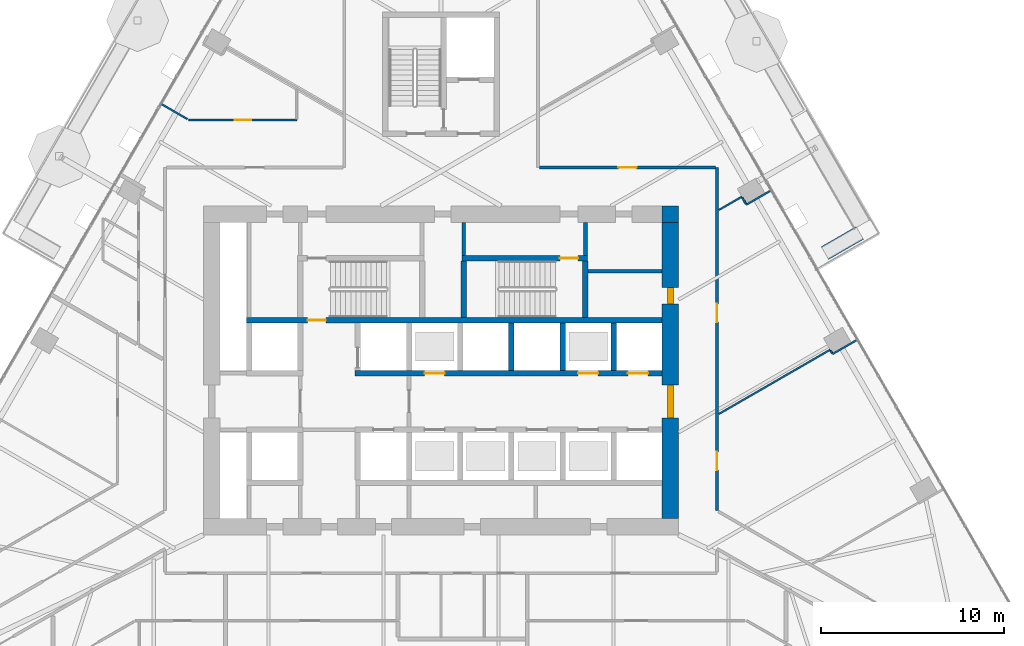
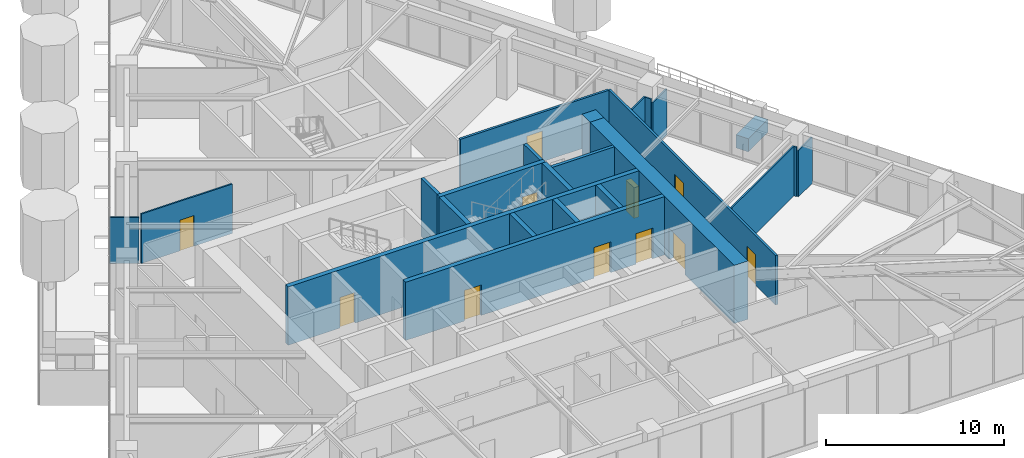
# One storey, part 19 of 25: 24 walls, 11 doors, 11 openings.
"""IFC4 building model written with IfcOpenShell, lengths in metres."""

from ifc_helpers import new_model, si_unit, direction, frame, frame_2d, origin, place, context, subcontext, project, spatial, rectangle, extrude, material, layer, layer_set, type_object, element, fill, save


model = new_model("IFC4")

# Units and contexts
model_context = context("Model", 3, precision=1e-05, world=origin(), true_north=direction((0.0, 1.0)))
body_context = subcontext(model_context, "Body", "Model", "MODEL_VIEW")
ifc_project = project(units=[si_unit("LENGTHUNIT", "METRE"), si_unit("AREAUNIT", "SQUARE_METRE"), si_unit("VOLUMEUNIT", "CUBIC_METRE"), si_unit("PLANEANGLEUNIT", "RADIAN"), si_unit("MASSUNIT", "GRAM", prefix="KILO")], contexts=[model_context])

# Site, building, storey
site_placement = place(None, origin())
site = spatial("IfcSite", under=ifc_project, at=site_placement, CompositionType="ELEMENT")
building_placement = place(site_placement, origin())
building = spatial("IfcBuilding", under=site, at=building_placement, Name="Firuza Gate Tower and Library", CompositionType="ELEMENT")
storey_placement = place(building_placement, frame((0.0, 0.0, 86.199951171875)))
storey = spatial("IfcBuildingStorey", under=building, at=storey_placement, Name="L19", CompositionType="ELEMENT", Elevation=86.199951171875)

# Walls
ifc_material_1 = material(Name="Plasterboard on steel studs", Category="steel")
ifc_layer_1 = layer(ifc_material_1, 0.199951171875)
ifc_layer_set_1 = layer_set([ifc_layer_1], Name="Core partition 200 EI 120")
wall_type_1 = type_object("IfcWallType", Name="Core partition 200 EI 120", PredefinedType="PARTITIONING", material=ifc_layer_set_1)
wall_1_placement = place(storey_placement, frame((83.050048828125, 80.425048828125, 0.0), z_axis=(0.0, 0.0, 1.0), x_axis=(1.0, 0.0, 0.0)))
element("IfcWall", 1, at=wall_1_placement, inside=storey, type_object=wall_type_1, Name="Core partition L19 4", PredefinedType="PARTITIONING", context=body_context, shape_type="SweptSolid", body=[
    extrude(rectangle(XDim=4.050048828125, YDim=0.199951171875, at=frame_2d((2.02490234375, 0.0))), origin(), (0.0, 0.0, 1.0), 4.0),
])
ifc_material_2 = material(Name="Plasterboard on steel studs", Category="steel")
ifc_layer_2 = layer(ifc_material_2, 0.199951171875)
ifc_layer_set_2 = layer_set([ifc_layer_2], Name="Core partition 200 EI 60")
wall_type_2 = type_object("IfcWallType", Name="Core partition 200 EI 60", PredefinedType="PARTITIONING", material=ifc_layer_set_2)
for number, where, z_axis, x_axis, name in (
    (2, (76.239990234375, 81.280029296875, 0.0), (0.0, 0.0, 1.0), (0.0, 1.0, 0.0), "Core partition L19 14"),
    (3, (82.89990234375, 81.280029296875, 0.0), (0.0, 0.0, 1.0), (0.0, 1.0, 0.0), "Core partition L19 16"),
):
    element("IfcWall", number, at=place(storey_placement, frame(where, z_axis=z_axis, x_axis=x_axis)), inside=storey, type_object=wall_type_2, Name=name, PredefinedType="PARTITIONING", context=body_context, shape_type="SweptSolid", body=[
        extrude(rectangle(XDim=1.820068359375, YDim=0.199951171875, at=frame_2d((0.91015625, 0.0))), origin(), (0.0, 0.0, 1.0), 4.0),
    ])

# Wall, openings, doors
ifc_material_3 = material(Name="Concrete C80/95", Category="concrete")
ifc_layer_3 = layer(ifc_material_3, 0.300048828125)
ifc_layer_set_3 = layer_set([ifc_layer_3], Name="Core wall 300 C80/95")
wall_type_3 = type_object("IfcWallType", Name="Core wall 300 C80/95", PredefinedType="SHEAR", material=ifc_layer_set_3)
wall_2_placement = place(storey_placement, frame((70.300048828125, 74.85009765625, 0.0), z_axis=(0.0, 0.0, 1.0), x_axis=(1.0, 0.0, 0.0)))
wall_2 = element("IfcWall", 4, at=wall_2_placement, inside=storey, type_object=wall_type_3, Name="Core wall L19 10", PredefinedType="SHEAR", context=body_context, shape_type="SweptSolid", body=[
    extrude(rectangle(XDim=16.800048828125, YDim=0.300048828125, at=frame_2d((8.39990234375, 0.0))), origin(), (0.0, 0.0, 1.0), 4.0),
])
opening_1_placement = place(wall_2_placement, frame((3.800048828125, 0.0, 0.0)))
opening_1 = element("IfcOpeningElement", 5, at=opening_1_placement, cuts=wall_2, Name="Opening LD-LR4-L19", PredefinedType="OPENING", context=body_context, shape_type="SweptSolid", body=[
    extrude(rectangle(XDim=1.10009765625, YDim=2.10009765625, at=frame_2d((0.550048828125, 1.050048828125))), frame((0.0, 0.16015625, 0.0), z_axis=(0.0, -1.0, 0.0), x_axis=(1.0, 0.0, 0.0)), (0.0, 0.0, 1.0), 0.320068359375),
])
opening_2_placement = place(wall_2_placement, frame((12.199951171875, 0.0, 0.0)))
opening_2 = element("IfcOpeningElement", 6, at=opening_2_placement, cuts=wall_2, Name="Opening LD-LR6-L19", PredefinedType="OPENING", context=body_context, shape_type="SweptSolid", body=[
    extrude(rectangle(XDim=1.10009765625, YDim=2.10009765625, at=frame_2d((0.550048828125, 1.050048828125))), frame((0.0, 0.16015625, 0.0), z_axis=(0.0, -1.0, 0.0), x_axis=(1.0, 0.0, 0.0)), (0.0, 0.0, 1.0), 0.320068359375),
])
opening_3_placement = place(wall_2_placement, frame((14.925048828125, 0.0, 0.0)))
opening_3 = element("IfcOpeningElement", 7, at=opening_3_placement, cuts=wall_2, Name="Opening LD-LR8-L19", PredefinedType="OPENING", context=body_context, shape_type="SweptSolid", body=[
    extrude(rectangle(XDim=1.10009765625, YDim=2.10009765625, at=frame_2d((0.550048828125, 1.050048828125))), frame((0.0, 0.16015625, 0.0), z_axis=(0.0, -1.0, 0.0), x_axis=(1.0, 0.0, 0.0)), (0.0, 0.0, 1.0), 0.320068359375),
])
ifc_material_4 = material(Name="Stainless steel", Category="steel")
door_type_1 = type_object("IfcDoorType", Name="Lift landing door 1100x2100", OperationType="DOUBLE_DOOR_SLIDING", PredefinedType="DOOR", material=ifc_material_4)
door_1_placement = place(opening_1_placement, origin())
door_1 = element("IfcDoor", 8, at=door_1_placement, inside=storey, type_object=door_type_1, Name="Landing door LR4 L19", OperationType="DOUBLE_DOOR_SLIDING", OverallHeight=2.10009765625, OverallWidth=1.10009765625, PredefinedType="DOOR", context=body_context, shape_type="SweptSolid", body=[
    extrude(rectangle(XDim=1.10009765625, YDim=2.10009765625, at=frame_2d((0.550048828125, 1.050048828125))), frame((0.0, 0.02490234375, 0.0), z_axis=(0.0, -1.0, 0.0), x_axis=(1.0, 0.0, 0.0)), (0.0, 0.0, 1.0), 0.050048828125),
])
fill(opening_1, door_1)
door_2_placement = place(opening_2_placement, origin())
door_2 = element("IfcDoor", 9, at=door_2_placement, inside=storey, type_object=door_type_1, Name="Landing door LR6 L19", OperationType="DOUBLE_DOOR_SLIDING", OverallHeight=2.10009765625, OverallWidth=1.10009765625, PredefinedType="DOOR", context=body_context, shape_type="SweptSolid", body=[
    extrude(rectangle(XDim=1.10009765625, YDim=2.10009765625, at=frame_2d((0.550048828125, 1.050048828125))), frame((0.0, 0.02490234375, 0.0), z_axis=(0.0, -1.0, 0.0), x_axis=(1.0, 0.0, 0.0)), (0.0, 0.0, 1.0), 0.050048828125),
])
fill(opening_2, door_2)
door_3_placement = place(opening_3_placement, origin())
door_3 = element("IfcDoor", 10, at=door_3_placement, inside=storey, type_object=door_type_1, Name="Landing door LR8 L19", OperationType="DOUBLE_DOOR_SLIDING", OverallHeight=2.10009765625, OverallWidth=1.10009765625, PredefinedType="DOOR", context=body_context, shape_type="SweptSolid", body=[
    extrude(rectangle(XDim=1.10009765625, YDim=2.10009765625, at=frame_2d((0.550048828125, 1.050048828125))), frame((0.0, 0.02490234375, 0.0), z_axis=(0.0, -1.0, 0.0), x_axis=(1.0, 0.0, 0.0)), (0.0, 0.0, 1.0), 0.050048828125),
])
fill(opening_3, door_3)

# Walls
for number, where, z_axis, x_axis, name in (
    (11, (78.85009765625, 75.0, 0.0), (0.0, 0.0, 1.0), (0.0, 1.0, 0.0), "Core wall L19 22"),
    (12, (81.64990234375, 75.0, 0.0), (0.0, 0.0, 1.0), (0.0, 1.0, 0.0), "Core wall L19 24"),
    (13, (84.449951171875, 75.0, 0.0), (0.0, 0.0, 1.0), (0.0, 1.0, 0.0), "Core wall L19 26"),
):
    element("IfcWall", number, at=place(storey_placement, frame(where, z_axis=z_axis, x_axis=x_axis)), inside=storey, type_object=wall_type_3, Name=name, PredefinedType="SHEAR", context=body_context, shape_type="SweptSolid", body=[
        extrude(rectangle(XDim=2.60009765625, YDim=0.300048828125, at=frame_2d((1.300048828125, 0.0))), origin(), (0.0, 0.0, 1.0), 4.0),
    ])

# Wall, opening, door
wall_3_placement = place(storey_placement, frame((64.35009765625, 77.75, 0.0), z_axis=(0.0, 0.0, 1.0), x_axis=(1.0, 0.0, 0.0)))
wall_3 = element("IfcWall", 14, at=wall_3_placement, inside=storey, type_object=wall_type_3, Name="Core wall L19 27", PredefinedType="SHEAR", context=body_context, shape_type="SweptSolid", body=[
    extrude(rectangle(XDim=22.75, YDim=0.300048828125, at=frame_2d((11.375, 0.0))), origin(), (0.0, 0.0, 1.0), 4.0),
])
opening_4_placement = place(wall_3_placement, frame((3.344970703125, 0.0, 0.0)))
opening_4 = element("IfcOpeningElement", 15, at=opening_4_placement, cuts=wall_3, Name="Opening L19-K12", PredefinedType="OPENING", context=body_context, shape_type="SweptSolid", body=[
    extrude(rectangle(XDim=1.0, YDim=2.10009765625, at=frame_2d((0.5, 1.050048828125))), frame((0.0, 0.16015625, 0.0), z_axis=(0.0, -1.0, 0.0), x_axis=(1.0, 0.0, 0.0)), (0.0, 0.0, 1.0), 0.320068359375),
])
ifc_material_5 = material(Name="Steel", Category="steel")
door_type_2 = type_object("IfcDoorType", Name="Fire door 1000x2100 FD90", OperationType="NOTDEFINED", PredefinedType="DOOR", material=ifc_material_5)
door_4_placement = place(opening_4_placement, origin())
door_4 = element("IfcDoor", 16, at=door_4_placement, inside=storey, type_object=door_type_2, Name="Door L19-K12", OperationType="SINGLE_SWING_LEFT", OverallHeight=2.10009765625, OverallWidth=1.0, PredefinedType="DOOR", context=body_context, shape_type="SweptSolid", body=[
    extrude(rectangle(XDim=1.0, YDim=2.10009765625, at=frame_2d((0.5, 1.050048828125))), frame((0.0, 0.02490234375, 0.0), z_axis=(0.0, -1.0, 0.0), x_axis=(1.0, 0.0, 0.0)), (0.0, 0.0, 1.0), 0.050048828125),
])
fill(opening_4, door_4)

wall_4_placement = place(storey_placement, frame((76.139892578125, 81.1298828125, 0.0), z_axis=(0.0, 0.0, 1.0), x_axis=(1.0, 0.0, 0.0)))
wall_4 = element("IfcWall", 17, at=wall_4_placement, inside=storey, type_object=wall_type_3, Name="Core wall L19 29", PredefinedType="SHEAR", context=body_context, shape_type="SweptSolid", body=[
    extrude(rectangle(XDim=6.860107421875, YDim=0.300048828125, at=frame_2d((3.43017578125, 0.0))), origin(), (0.0, 0.0, 1.0), 4.0),
])
opening_5_placement = place(wall_4_placement, frame((5.364990234375, 0.0, 0.0)))
opening_5 = element("IfcOpeningElement", 18, at=opening_5_placement, cuts=wall_4, Name="Opening L19-K15", PredefinedType="OPENING", context=body_context, shape_type="SweptSolid", body=[
    extrude(rectangle(XDim=1.0, YDim=2.10009765625, at=frame_2d((0.5, 1.050048828125))), frame((0.0, 0.16015625, 0.0), z_axis=(0.0, -1.0, 0.0), x_axis=(1.0, 0.0, 0.0)), (0.0, 0.0, 1.0), 0.320068359375),
])
door_5_placement = place(opening_5_placement, origin())
door_5 = element("IfcDoor", 19, at=door_5_placement, inside=storey, type_object=door_type_2, Name="Door L19-K15", OperationType="SINGLE_SWING_RIGHT", OverallHeight=2.10009765625, OverallWidth=1.0, PredefinedType="DOOR", context=body_context, shape_type="SweptSolid", body=[
    extrude(rectangle(XDim=1.0, YDim=2.10009765625, at=frame_2d((0.5, 1.050048828125))), frame((0.0, 0.02490234375, 0.0), z_axis=(0.0, -1.0, 0.0), x_axis=(1.0, 0.0, 0.0)), (0.0, 0.0, 1.0), 0.050048828125),
])
fill(opening_5, door_5)

# Walls
for number, where, z_axis, x_axis, name in (
    (20, (76.239990234375, 77.89990234375, 0.0), (0.0, 0.0, 1.0), (0.0, 1.0, 0.0), "Core wall L19 32"),
    (21, (82.89990234375, 77.89990234375, 0.0), (0.0, 0.0, 1.0), (0.0, 1.0, 0.0), "Core wall L19 33"),
):
    element("IfcWall", number, at=place(storey_placement, frame(where, z_axis=z_axis, x_axis=x_axis)), inside=storey, type_object=wall_type_3, Name=name, PredefinedType="SHEAR", context=body_context, shape_type="SweptSolid", body=[
        extrude(rectangle(XDim=3.080078125, YDim=0.300048828125, at=frame_2d((1.5400390625, 0.0))), origin(), (0.0, 0.0, 1.0), 4.0),
    ])

# Wall, openings, doors
ifc_material_6 = material(Name="Concrete C80/95", Category="concrete")
ifc_layer_4 = layer(ifc_material_6, 0.89990234375)
ifc_layer_set_4 = layer_set([ifc_layer_4], Name="Core wall 900 C80/95")
wall_type_4 = type_object("IfcWallType", Name="Core wall 900 C80/95", PredefinedType="SHEAR", material=ifc_layer_set_4)
wall_5_placement = place(storey_placement, frame((87.550048828125, 66.89990234375, 0.0), z_axis=(0.0, 0.0, 1.0), x_axis=(0.0, 1.0, 0.0)))
wall_5 = element("IfcWall", 22, at=wall_5_placement, inside=storey, type_object=wall_type_4, Name="Core wall L19 4", PredefinedType="SHEAR", context=body_context, shape_type="SweptSolid", body=[
    extrude(rectangle(XDim=16.2001953125, YDim=0.89990234375, at=frame_2d((8.10009765625, 0.0))), origin(), (0.0, 0.0, 1.0), 4.0),
])
opening_6_placement = place(wall_5_placement, frame((5.5, 0.0, 0.0)))
opening_6 = element("IfcOpeningElement", 23, at=opening_6_placement, cuts=wall_5, Name="Opening L19-K23", PredefinedType="OPENING", context=body_context, shape_type="SweptSolid", body=[
    extrude(rectangle(XDim=1.800048828125, YDim=2.10009765625, at=frame_2d((0.89990234375, 1.050048828125))), frame((0.0, 0.4599609375, 0.0), z_axis=(0.0, -1.0, 0.0), x_axis=(1.0, 0.0, 0.0)), (0.0, 0.0, 1.0), 0.919921875),
])
opening_7_placement = place(wall_5_placement, frame((11.737548828125, 0.0, 0.0)))
opening_7 = element("IfcOpeningElement", 24, at=opening_7_placement, cuts=wall_5, Name="Opening L19-K31", PredefinedType="OPENING", context=body_context, shape_type="SweptSolid", body=[
    extrude(rectangle(XDim=0.89990234375, YDim=2.10009765625, at=frame_2d((0.449951171875, 1.050048828125))), frame((0.0, 0.4599609375, 0.0), z_axis=(0.0, -1.0, 0.0), x_axis=(1.0, 0.0, 0.0)), (0.0, 0.0, 1.0), 0.919921875),
])
ifc_material_7 = material(Name="Steel", Category="steel")
door_type_3 = type_object("IfcDoorType", Name="Fire door 1800x2100 FD30S", OperationType="NOTDEFINED", PredefinedType="DOOR", material=ifc_material_7)
door_6_placement = place(opening_6_placement, origin())
door_6 = element("IfcDoor", 25, at=door_6_placement, inside=storey, type_object=door_type_3, Name="Door L19-K23", OperationType="SINGLE_SWING_RIGHT", OverallHeight=2.10009765625, OverallWidth=1.800048828125, PredefinedType="DOOR", context=body_context, shape_type="SweptSolid", body=[
    extrude(rectangle(XDim=1.800048828125, YDim=2.10009765625, at=frame_2d((0.89990234375, 1.050048828125))), frame((0.0, 0.169921875, 0.0), z_axis=(0.0, -1.0, 0.0), x_axis=(1.0, 0.0, 0.0)), (0.0, 0.0, 1.0), 0.33984375),
])
fill(opening_6, door_6)
ifc_material_8 = material(Name="Steel", Category="steel")
door_type_4 = type_object("IfcDoorType", Name="Fire door 900x2100 FD30S", OperationType="NOTDEFINED", PredefinedType="DOOR", material=ifc_material_8)
door_7_placement = place(opening_7_placement, origin())
door_7 = element("IfcDoor", 26, at=door_7_placement, inside=storey, type_object=door_type_4, Name="Door L19-K31", OperationType="SINGLE_SWING_RIGHT", OverallHeight=2.10009765625, OverallWidth=0.89990234375, PredefinedType="DOOR", context=body_context, shape_type="SweptSolid", body=[
    extrude(rectangle(XDim=0.89990234375, YDim=2.10009765625, at=frame_2d((0.449951171875, 1.050048828125))), frame((0.0, 0.169921875, 0.0), z_axis=(0.0, -1.0, 0.0), x_axis=(1.0, 0.0, 0.0)), (0.0, 0.0, 1.0), 0.33984375),
])
fill(opening_7, door_7)

# Wall
wall_6_placement = place(storey_placement, frame((87.10009765625, 83.550048828125, 0.0), z_axis=(0.0, 0.0, 1.0), x_axis=(1.0, 0.0, 0.0)))
element("IfcWall", 27, at=wall_6_placement, inside=storey, type_object=wall_type_4, Name="Core wall L19 40", PredefinedType="SHEAR", context=body_context, shape_type="SweptSolid", body=[
    extrude(rectangle(XDim=0.89990234375, YDim=0.89990234375, at=frame_2d((0.449951171875, 0.0))), origin(), (0.0, 0.0, 1.0), 4.0),
])

# Wall, opening, door
ifc_material_9 = material(Name="Gypsum board partition")
ifc_layer_5 = layer(ifc_material_9, 0.14990234375)
ifc_layer_set_5 = layer_set([ifc_layer_5], Name="Corridor wall 150 double board on steel studs")
wall_type_5 = type_object("IfcWallType", Name="Corridor wall 150 double board on steel studs", PredefinedType="PARTITIONING", material=ifc_layer_set_5)
wall_7_placement = place(storey_placement, frame((80.375, 86.10009765625, 0.0), z_axis=(0.0, 0.0, 1.0), x_axis=(1.0, 0.0, 0.0)))
wall_7 = element("IfcWall", 28, at=wall_7_placement, inside=storey, type_object=wall_type_5, Name="f:L19:w006", PredefinedType="PARTITIONING", context=body_context, shape_type="SweptSolid", body=[
    extrude(rectangle(XDim=9.6494140625, YDim=0.14990234375, at=frame_2d((4.82470703125, 0.0))), origin(), (0.0, 0.0, 1.0), 3.400146484375),
])
opening_8_placement = place(wall_7_placement, frame((4.32470703125, 0.0, 0.0)))
opening_8 = element("IfcOpeningElement", 29, at=opening_8_placement, cuts=wall_7, Name="Opening L19-11", PredefinedType="OPENING", context=body_context, shape_type="SweptSolid", body=[
    extrude(rectangle(XDim=1.0, YDim=2.10009765625, at=frame_2d((0.5, 1.050048828125))), frame((0.0, 0.0849609375, 0.0), z_axis=(0.0, -1.0, 0.0), x_axis=(1.0, 0.0, 0.0)), (0.0, 0.0, 1.0), 0.169921875),
])
ifc_material_10 = material(Name="Steel door and timber leaf", Category="steel")
door_type_5 = type_object("IfcDoorType", Name="Fire door 1000 x 2100 steel frame, timber leaf", OperationType="NOTDEFINED", PredefinedType="DOOR", material=ifc_material_10)
door_8_placement = place(opening_8_placement, origin())
door_8 = element("IfcDoor", 30, at=door_8_placement, inside=storey, type_object=door_type_5, Name="f:L19:d011", OperationType="SINGLE_SWING_RIGHT", OverallHeight=2.10009765625, OverallWidth=1.0, PredefinedType="DOOR", context=body_context, shape_type="SweptSolid", body=[
    extrude(rectangle(XDim=1.0, YDim=2.10009765625, at=frame_2d((0.5, 1.050048828125))), frame((0.0, 0.02490234375, 0.0), z_axis=(0.0, -1.0, 0.0), x_axis=(1.0, 0.0, 0.0)), (0.0, 0.0, 1.0), 0.050048828125),
])
fill(opening_8, door_8)

# Wall, openings, doors
wall_8_placement = place(storey_placement, frame((90.10009765625, 86.099609375, 0.0), z_axis=(0.0, 0.0, 1.0), x_axis=(0.0, -1.0, 0.0)))
wall_8 = element("IfcWall", 31, at=wall_8_placement, inside=storey, type_object=wall_type_5, Name="f:L19:w034", PredefinedType="PARTITIONING", context=body_context, shape_type="SweptSolid", body=[
    extrude(rectangle(XDim=18.7783203125, YDim=0.14990234375, at=frame_2d((9.38916015625, 0.0))), origin(), (0.0, 0.0, 1.0), 3.400146484375),
])
opening_9_placement = place(wall_8_placement, frame((7.462158203125, 0.0, 0.0)))
opening_9 = element("IfcOpeningElement", 32, at=opening_9_placement, cuts=wall_8, Name="Opening L19-21", PredefinedType="OPENING", context=body_context, shape_type="SweptSolid", body=[
    extrude(rectangle(XDim=1.0, YDim=2.10009765625, at=frame_2d((0.5, 1.050048828125))), frame((0.0, 0.0849609375, 0.0), z_axis=(0.0, -1.0, 0.0), x_axis=(1.0, 0.0, 0.0)), (0.0, 0.0, 1.0), 0.169921875),
])
opening_10_placement = place(wall_8_placement, frame((15.558837890625, 0.0, 0.0)))
opening_10 = element("IfcOpeningElement", 33, at=opening_10_placement, cuts=wall_8, Name="Opening L19-22", PredefinedType="OPENING", context=body_context, shape_type="SweptSolid", body=[
    extrude(rectangle(XDim=1.0, YDim=2.10009765625, at=frame_2d((0.5, 1.050048828125))), frame((0.0, 0.0849609375, 0.0), z_axis=(0.0, -1.0, 0.0), x_axis=(1.0, 0.0, 0.0)), (0.0, 0.0, 1.0), 0.169921875),
])
door_9_placement = place(opening_9_placement, origin())
door_9 = element("IfcDoor", 34, at=door_9_placement, inside=storey, type_object=door_type_5, Name="f:L19:d021", OperationType="SINGLE_SWING_RIGHT", OverallHeight=2.10009765625, OverallWidth=1.0, PredefinedType="DOOR", context=body_context, shape_type="SweptSolid", body=[
    extrude(rectangle(XDim=1.0, YDim=2.10009765625, at=frame_2d((0.5, 1.050048828125))), frame((0.0, 0.02490234375, 0.0), z_axis=(0.0, -1.0, 0.0), x_axis=(1.0, 0.0, 0.0)), (0.0, 0.0, 1.0), 0.050048828125),
])
fill(opening_9, door_9)
door_10_placement = place(opening_10_placement, origin())
door_10 = element("IfcDoor", 35, at=door_10_placement, inside=storey, type_object=door_type_5, Name="f:L19:d022", OperationType="SINGLE_SWING_LEFT", OverallHeight=2.10009765625, OverallWidth=1.0, PredefinedType="DOOR", context=body_context, shape_type="SweptSolid", body=[
    extrude(rectangle(XDim=1.0, YDim=2.10009765625, at=frame_2d((0.5, 1.050048828125))), frame((0.0, 0.02490234375, 0.0), z_axis=(0.0, -1.0, 0.0), x_axis=(1.0, 0.0, 0.0)), (0.0, 0.0, 1.0), 0.050048828125),
])
fill(opening_10, door_10)

# Wall, opening, door
ifc_material_11 = material(Name="Gypsum board partition")
ifc_layer_6 = layer(ifc_material_11, 0.10009765625)
ifc_layer_set_6 = layer_set([ifc_layer_6], Name="Partition 100 gypsum board on steel studs")
wall_type_6 = type_object("IfcWallType", Name="Partition 100 gypsum board on steel studs", PredefinedType="PARTITIONING", material=ifc_layer_set_6)
wall_9_placement = place(storey_placement, frame((67.10009765625, 88.699951171875, 0.0), z_axis=(0.0, 0.0, 1.0), x_axis=(-1.0, 0.0, 0.0)))
wall_9 = element("IfcWall", 36, at=wall_9_placement, inside=storey, type_object=wall_type_6, Name="f:L19:w007", PredefinedType="PARTITIONING", context=body_context, shape_type="SweptSolid", body=[
    extrude(rectangle(XDim=5.89306640625, YDim=0.10009765625, at=frame_2d((2.946533203125, 0.0))), origin(), (0.0, 0.0, 1.0), 3.400146484375),
])
opening_11_placement = place(wall_9_placement, frame((2.49658203125, 0.0, 0.0)))
opening_11 = element("IfcOpeningElement", 37, at=opening_11_placement, cuts=wall_9, Name="Opening L19-12", PredefinedType="OPENING", context=body_context, shape_type="SweptSolid", body=[
    extrude(rectangle(XDim=0.89990234375, YDim=2.10009765625, at=frame_2d((0.449951171875, 1.050048828125))), frame((0.0, 0.06005859375, 0.0), z_axis=(0.0, -1.0, 0.0), x_axis=(1.0, 0.0, 0.0)), (0.0, 0.0, 1.0), 0.1201171875),
])
ifc_material_12 = material(Name="Timber door", Category="wood")
door_type_6 = type_object("IfcDoorType", Name="Door 900 x 2100 timber leaf", OperationType="NOTDEFINED", PredefinedType="DOOR", material=ifc_material_12)
door_11_placement = place(opening_11_placement, origin())
door_11 = element("IfcDoor", 38, at=door_11_placement, inside=storey, type_object=door_type_6, Name="f:L19:d012", OperationType="SINGLE_SWING_LEFT", OverallHeight=2.10009765625, OverallWidth=0.89990234375, PredefinedType="DOOR", context=body_context, shape_type="SweptSolid", body=[
    extrude(rectangle(XDim=0.89990234375, YDim=2.10009765625, at=frame_2d((0.449951171875, 1.050048828125))), frame((0.0, 0.02490234375, 0.0), z_axis=(0.0, -1.0, 0.0), x_axis=(1.0, 0.0, 0.0)), (0.0, 0.0, 1.0), 0.050048828125),
])
fill(opening_11, door_11)

# Walls
wall_10_placement = place(storey_placement, frame((96.423583984375, 75.89599609375, 0.0), z_axis=(0.0, 0.0, 1.0), x_axis=(0.866086524807, 0.499894120338, 0.0)))
element("IfcWall", 39, at=wall_10_placement, inside=storey, type_object=wall_type_6, Name="f:L19:w013", PredefinedType="PARTITIONING", context=body_context, shape_type="SweptSolid", body=[
    extrude(rectangle(XDim=1.559326171875, YDim=0.10009765625, at=frame_2d((0.77978515625, 0.0))), origin(), (0.0, 0.0, 1.0), 3.1650390625),
])
wall_11_placement = place(storey_placement, frame((90.200927734375, 72.614990234375, 0.0), z_axis=(0.0, 0.0, 1.0), x_axis=(0.866024193862, 0.500002095642, 0.0)))
element("IfcWall", 40, at=wall_11_placement, inside=storey, type_object=wall_type_6, Name="f:L19:w014", PredefinedType="PARTITIONING", context=body_context, shape_type="SweptSolid", body=[
    extrude(rectangle(XDim=7.0283203125, YDim=0.10009765625, at=frame_2d((3.51416015625, 0.0))), origin(), (0.0, 0.0, 1.0), 3.400146484375),
])
wall_12_placement = place(storey_placement, frame((91.70556640625, 84.067626953125, 0.0), z_axis=(0.0, 0.0, 1.0), x_axis=(0.866018739521, 0.500011542666, 0.0)))
element("IfcWall", 41, at=wall_12_placement, inside=storey, type_object=wall_type_6, Name="f:L19:w017", PredefinedType="PARTITIONING", context=body_context, shape_type="SweptSolid", body=[
    extrude(rectangle(XDim=1.5595703125, YDim=0.10009765625, at=frame_2d((0.77978515625, 0.0))), origin(), (0.0, 0.0, 1.0), 3.1650390625),
])
wall_13_placement = place(storey_placement, frame((90.200927734375, 83.7763671875, 0.0), z_axis=(0.0, 0.0, 1.0), x_axis=(0.866003030001, 0.500038750527, 0.0)))
element("IfcWall", 42, at=wall_13_placement, inside=storey, type_object=wall_type_6, Name="f:L19:w018", PredefinedType="PARTITIONING", context=body_context, shape_type="SweptSolid", body=[
    extrude(rectangle(XDim=1.44775390625, YDim=0.10009765625, at=frame_2d((0.723876953125, 0.0))), origin(), (0.0, 0.0, 1.0), 3.400146484375),
])
wall_14_placement = place(storey_placement, frame((96.398193359375, 75.939453125, 0.0), z_axis=(0.0, 0.0, 1.0), x_axis=(-0.500181256421, 0.865920730047, 0.0)))
element("IfcWall", 43, at=wall_14_placement, inside=storey, type_object=wall_type_6, Name="f:L19:w054", PredefinedType="PARTITIONING", context=body_context, shape_type="SweptSolid", body=[
    extrude(rectangle(XDim=0.1689453125, YDim=0.10009765625, at=frame_2d((0.08447265625, 0.0))), origin(), (0.0, 0.0, 1.0), 3.400146484375),
])
wall_15_placement = place(storey_placement, frame((91.68017578125, 84.111328125, 0.0), z_axis=(0.0, 0.0, 1.0), x_axis=(-0.50002266109, 0.866012320003, 0.0)))
element("IfcWall", 44, at=wall_15_placement, inside=storey, type_object=wall_type_6, Name="f:L19:w055", PredefinedType="PARTITIONING", context=body_context, shape_type="SweptSolid", body=[
    extrude(rectangle(XDim=0.39892578125, YDim=0.10009765625, at=frame_2d((0.199462890625, 0.0))), origin(), (0.0, 0.0, 1.0), 3.400146484375),
])
wall_16_placement = place(storey_placement, frame((61.120361328125, 88.75, 0.0), z_axis=(0.0, 0.0, 1.0), x_axis=(-0.865961000814, 0.50011153263, 0.0)))
element("IfcWall", 45, at=wall_16_placement, inside=storey, type_object=wall_type_6, Name="f:L19:w062", PredefinedType="PARTITIONING", context=body_context, shape_type="SweptSolid", body=[
    extrude(rectangle(XDim=1.66552734375, YDim=0.10009765625, at=frame_2d((0.832763671875, 0.0))), origin(), (0.0, 0.0, 1.0), 3.1650390625),
])
ifc_material_13 = material(Name="Concrete C40/50", Category="concrete")
ifc_layer_7 = layer(ifc_material_13, 0.800048828125)
ifc_layer_set_7 = layer_set([ifc_layer_7], Name="Planter wall 800")
wall_type_7 = type_object("IfcWallType", Name="Planter wall 800", PredefinedType="SOLIDWALL", material=ifc_layer_set_7)
wall_17_placement = place(storey_placement, frame((96.005126953125, 81.41943359375, 0.0), z_axis=(0.0, 0.0, 1.0), x_axis=(0.866008176907, 0.50002983664, 0.0)))
element("IfcWall", 46, at=wall_17_placement, inside=storey, type_object=wall_type_7, Name="PLANTER L19 1", PredefinedType="SOLIDWALL", context=body_context, shape_type="SweptSolid", body=[
    extrude(rectangle(XDim=2.199951171875, YDim=0.800048828125, at=frame_2d((1.10009765625, 0.0))), origin(), (0.0, 0.0, 1.0), 0.900146484375),
])

save(model, "model.ifc")
